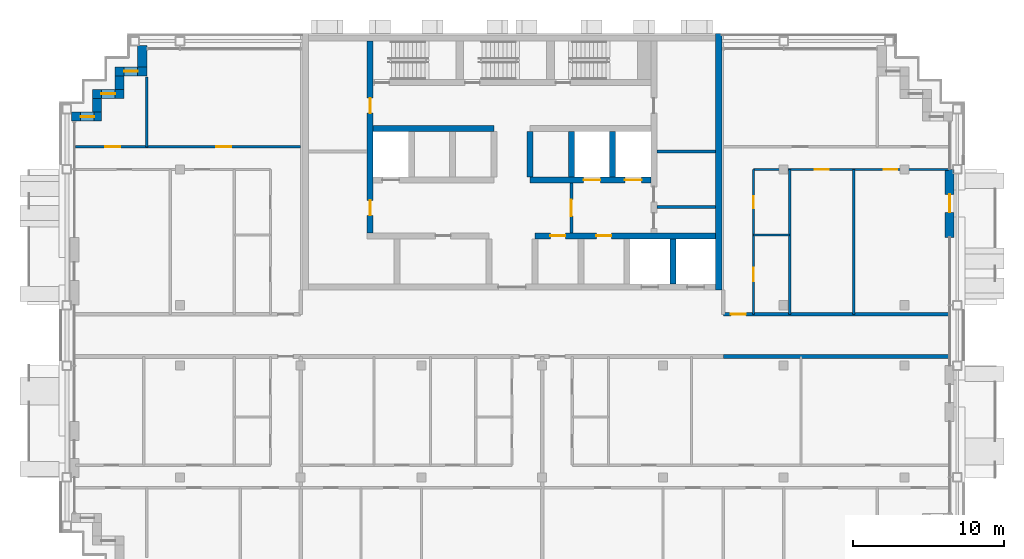
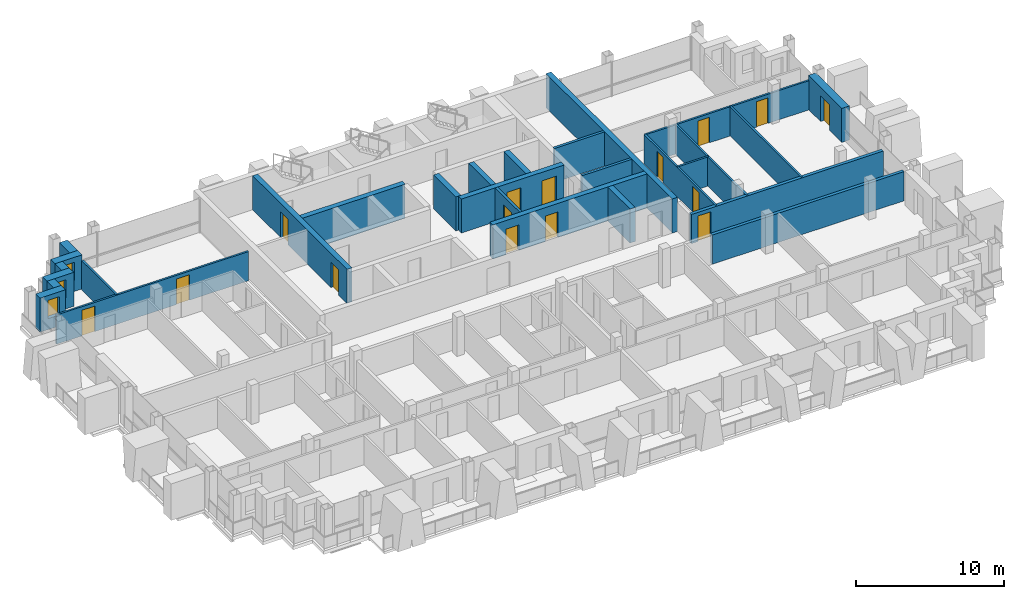
# One storey, part 10 of 15: 28 walls, 15 doors, 3 windows, 18 openings.
"""IFC4 building model written with IfcOpenShell, lengths in metres."""

from ifc_helpers import new_model, si_unit, direction, frame, frame_2d, origin, place, context, subcontext, project, spatial, rectangle, extrude, material, layer, layer_set, type_object, element, fill, save


model = new_model("IFC4")

# Units and contexts
model_context = context("Model", 3, precision=1e-05, world=origin(), true_north=direction((0.0, 1.0)))
body_context = subcontext(model_context, "Body", "Model", "MODEL_VIEW")
ifc_project = project(units=[si_unit("LENGTHUNIT", "METRE"), si_unit("AREAUNIT", "SQUARE_METRE"), si_unit("VOLUMEUNIT", "CUBIC_METRE"), si_unit("PLANEANGLEUNIT", "RADIAN"), si_unit("MASSUNIT", "GRAM", prefix="KILO")], contexts=[model_context])

# Site, building, storey
site_placement = place(None, origin())
site = spatial("IfcSite", under=ifc_project, at=site_placement, CompositionType="ELEMENT")
building_placement = place(site_placement, origin())
building = spatial("IfcBuilding", under=site, at=building_placement, Name="Vidyagriha Tower", CompositionType="ELEMENT")
storey_placement = place(building_placement, frame((0.0, 0.0, 236.39990234375)))
storey = spatial("IfcBuildingStorey", under=building, at=storey_placement, Name="L62", CompositionType="ELEMENT", Elevation=236.39990234375)

# Wall
ifc_material_1 = material(Name="Precast concrete C40/50 with brick facing", Category="concrete")
ifc_layer_1 = layer(ifc_material_1, 0.60009765625)
ifc_layer_set_1 = layer_set([ifc_layer_1], Name="Precast concrete C40/50 with brick facing")
wall_type_1 = type_object("IfcWallType", Name="Brick-faced precast wall 600", PredefinedType="STANDARD", material=ifc_layer_set_1)
wall_1_placement = place(storey_placement, frame((-24.5, 19.199951171875, 0.0), z_axis=(0.0, 0.0, 1.0), x_axis=(0.0, -1.0, 0.0)))
element("IfcWall", 1, at=wall_1_placement, inside=storey, type_object=wall_type_1, Name="Stepped corner wall L62 R10", PredefinedType="STANDARD", context=body_context, shape_type="SweptSolid", body=[
    extrude(rectangle(XDim=1.39990234375, YDim=0.60009765625, at=frame_2d((0.699951171875, 0.0))), origin(), (0.0, 0.0, 1.0), 2.800048828125),
])

# Wall, opening, window
wall_2_placement = place(storey_placement, frame((-24.199951171875, 17.5, 0.0), z_axis=(0.0, 0.0, 1.0), x_axis=(-1.0, 0.0, 0.0)))
wall_2 = element("IfcWall", 2, at=wall_2_placement, inside=storey, type_object=wall_type_1, Name="Stepped corner wall L62 R11", PredefinedType="STANDARD", context=body_context, shape_type="SweptSolid", body=[
    extrude(rectangle(XDim=2.10009765625, YDim=0.60009765625, at=frame_2d((1.050048828125, 0.0))), origin(), (0.0, 0.0, 1.0), 2.800048828125),
])
opening_1_placement = place(wall_2_placement, frame((0.60009765625, 0.0, 0.89990234375)))
opening_1 = element("IfcOpeningElement", 3, at=opening_1_placement, cuts=wall_2, Name="Opening WN1", PredefinedType="OPENING", context=body_context, shape_type="SweptSolid", body=[
    extrude(rectangle(XDim=0.89990234375, YDim=1.5, at=frame_2d((0.449951171875, 0.75))), frame((0.0, 0.31005859375, 0.0), z_axis=(0.0, -1.0, 0.0), x_axis=(1.0, 0.0, 0.0)), (0.0, 0.0, 1.0), 0.6201171875),
])
ifc_material_2 = material(Name="Aluminium and glass window", Category="aluminium")
window_type = type_object("IfcWindowType", Name="Reveal window 900x1500", PartitioningType="NOTDEFINED", PredefinedType="WINDOW", material=ifc_material_2)
window_1_placement = place(opening_1_placement, origin())
window_1 = element("IfcWindow", 4, at=window_1_placement, inside=storey, type_object=window_type, Name="Reveal window L62 R11", OverallHeight=1.5, OverallWidth=0.89990234375, PartitioningType="SINGLE_PANEL", PredefinedType="WINDOW", context=body_context, shape_type="SweptSolid", body=[
    extrude(rectangle(XDim=0.89990234375, YDim=1.5, at=frame_2d((0.449951171875, 0.75))), frame((0.0, 0.030029296875, 0.0), z_axis=(0.0, -1.0, 0.0), x_axis=(1.0, 0.0, 0.0)), (0.0, 0.0, 1.0), 0.06005859375),
])
fill(opening_1, window_1)

# Wall
wall_3_placement = place(storey_placement, frame((-26.0, 17.199951171875, 0.0), z_axis=(0.0, 0.0, 1.0), x_axis=(0.0, -1.0, 0.0)))
element("IfcWall", 5, at=wall_3_placement, inside=storey, type_object=wall_type_1, Name="Stepped corner wall L62 R12", PredefinedType="STANDARD", context=body_context, shape_type="SweptSolid", body=[
    extrude(rectangle(XDim=0.89990234375, YDim=0.60009765625, at=frame_2d((0.449951171875, 0.0))), origin(), (0.0, 0.0, 1.0), 2.800048828125),
])

# Wall, opening, window
wall_4_placement = place(storey_placement, frame((-25.699951171875, 16.0, 0.0), z_axis=(0.0, 0.0, 1.0), x_axis=(-1.0, 0.0, 0.0)))
wall_4 = element("IfcWall", 6, at=wall_4_placement, inside=storey, type_object=wall_type_1, Name="Stepped corner wall L62 R13", PredefinedType="STANDARD", context=body_context, shape_type="SweptSolid", body=[
    extrude(rectangle(XDim=2.10009765625, YDim=0.60009765625, at=frame_2d((1.050048828125, 0.0))), origin(), (0.0, 0.0, 1.0), 2.800048828125),
])
opening_2_placement = place(wall_4_placement, frame((0.60009765625, 0.0, 0.89990234375)))
opening_2 = element("IfcOpeningElement", 7, at=opening_2_placement, cuts=wall_4, Name="Opening WN1", PredefinedType="OPENING", context=body_context, shape_type="SweptSolid", body=[
    extrude(rectangle(XDim=0.89990234375, YDim=1.5, at=frame_2d((0.449951171875, 0.75))), frame((0.0, 0.31005859375, 0.0), z_axis=(0.0, -1.0, 0.0), x_axis=(1.0, 0.0, 0.0)), (0.0, 0.0, 1.0), 0.6201171875),
])
window_2_placement = place(opening_2_placement, origin())
window_2 = element("IfcWindow", 8, at=window_2_placement, inside=storey, type_object=window_type, Name="Reveal window L62 R13", OverallHeight=1.5, OverallWidth=0.89990234375, PartitioningType="SINGLE_PANEL", PredefinedType="WINDOW", context=body_context, shape_type="SweptSolid", body=[
    extrude(rectangle(XDim=0.89990234375, YDim=1.5, at=frame_2d((0.449951171875, 0.75))), frame((0.0, 0.030029296875, 0.0), z_axis=(0.0, -1.0, 0.0), x_axis=(1.0, 0.0, 0.0)), (0.0, 0.0, 1.0), 0.06005859375),
])
fill(opening_2, window_2)

# Wall
wall_5_placement = place(storey_placement, frame((-27.5, 15.699951171875, 0.0), z_axis=(0.0, 0.0, 1.0), x_axis=(0.0, -1.0, 0.0)))
element("IfcWall", 9, at=wall_5_placement, inside=storey, type_object=wall_type_1, Name="Stepped corner wall L62 R14", PredefinedType="STANDARD", context=body_context, shape_type="SweptSolid", body=[
    extrude(rectangle(XDim=0.89990234375, YDim=0.60009765625, at=frame_2d((0.449951171875, 0.0))), origin(), (0.0, 0.0, 1.0), 2.800048828125),
])

# Wall, opening, window
wall_6_placement = place(storey_placement, frame((-27.199951171875, 14.5, 0.0), z_axis=(0.0, 0.0, 1.0), x_axis=(-1.0, 0.0, 0.0)))
wall_6 = element("IfcWall", 10, at=wall_6_placement, inside=storey, type_object=wall_type_1, Name="Stepped corner wall L62 R15", PredefinedType="STANDARD", context=body_context, shape_type="SweptSolid", body=[
    extrude(rectangle(XDim=2.0, YDim=0.60009765625, at=frame_2d((1.0, 0.0))), origin(), (0.0, 0.0, 1.0), 2.800048828125),
])
opening_3_placement = place(wall_6_placement, frame((0.489990234375, 0.0, 0.89990234375)))
opening_3 = element("IfcOpeningElement", 11, at=opening_3_placement, cuts=wall_6, Name="Opening WN1", PredefinedType="OPENING", context=body_context, shape_type="SweptSolid", body=[
    extrude(rectangle(XDim=0.89990234375, YDim=1.5, at=frame_2d((0.449951171875, 0.75))), frame((0.0, 0.31005859375, 0.0), z_axis=(0.0, -1.0, 0.0), x_axis=(1.0, 0.0, 0.0)), (0.0, 0.0, 1.0), 0.6201171875),
])
window_3_placement = place(opening_3_placement, origin())
window_3 = element("IfcWindow", 12, at=window_3_placement, inside=storey, type_object=window_type, Name="Reveal window L62 R15", OverallHeight=1.5, OverallWidth=0.89990234375, PartitioningType="SINGLE_PANEL", PredefinedType="WINDOW", context=body_context, shape_type="SweptSolid", body=[
    extrude(rectangle(XDim=0.89990234375, YDim=1.5, at=frame_2d((0.449951171875, 0.75))), frame((0.0, 0.030029296875, 0.0), z_axis=(0.0, -1.0, 0.0), x_axis=(1.0, 0.0, 0.0)), (0.0, 0.0, 1.0), 0.06005859375),
])
fill(opening_3, window_3)

# Wall, opening, door
wall_7_placement = place(storey_placement, frame((29.0, 6.5, 0.0), z_axis=(0.0, 0.0, 1.0), x_axis=(0.0, 1.0, 0.0)))
wall_7 = element("IfcWall", 13, at=wall_7_placement, inside=storey, type_object=wall_type_1, Name="Brick door bay wall L62 R30.6", PredefinedType="STANDARD", context=body_context, shape_type="SweptSolid", body=[
    extrude(rectangle(XDim=4.5, YDim=0.60009765625, at=frame_2d((2.25, 0.0))), origin(), (0.0, 0.0, 1.0), 2.800048828125),
])
opening_4_placement = place(wall_7_placement, frame((1.64990234375, 0.0, 0.0)))
opening_4 = element("IfcOpeningElement", 14, at=opening_4_placement, cuts=wall_7, Name="Opening D62-65", PredefinedType="OPENING", context=body_context, shape_type="SweptSolid", body=[
    extrude(rectangle(XDim=1.199951171875, YDim=2.10009765625, at=frame_2d((0.60009765625, 1.050048828125))), frame((0.0, 0.31005859375, 0.0), z_axis=(0.0, -1.0, 0.0), x_axis=(1.0, 0.0, 0.0)), (0.0, 0.0, 1.0), 0.6201171875),
])
ifc_material_3 = material(Name="Aluminium framed glazed sliding door", Category="aluminium")
door_type_1 = type_object("IfcDoorType", Name="Balcony sliding door 1200x2100", OperationType="NOTDEFINED", PredefinedType="DOOR", material=ifc_material_3)
door_1_placement = place(opening_4_placement, origin())
door_1 = element("IfcDoor", 15, at=door_1_placement, inside=storey, type_object=door_type_1, Name="Door D62-65", OperationType="SLIDING_TO_LEFT", OverallHeight=2.10009765625, OverallWidth=1.199951171875, PredefinedType="DOOR", context=body_context, shape_type="SweptSolid", body=[
    extrude(rectangle(XDim=1.199951171875, YDim=2.10009765625, at=frame_2d((0.60009765625, 1.050048828125))), frame((0.0, 0.02490234375, 0.0), z_axis=(0.0, -1.0, 0.0), x_axis=(1.0, 0.0, 0.0)), (0.0, 0.0, 1.0), 0.050048828125),
])
fill(opening_4, door_1)

# Wall
ifc_material_4 = material(Name="Concrete C60/75", Category="concrete")
ifc_layer_2 = layer(ifc_material_4, 0.39990234375)
ifc_layer_set_2 = layer_set([ifc_layer_2], Name="Concrete C60/75")
wall_type_2 = type_object("IfcWallType", Name="Core shear wall 400 mm", PredefinedType="SHEAR", material=ifc_layer_set_2)
wall_8_placement = place(storey_placement, frame((13.699951171875, 3.0, 0.0), z_axis=(0.0, 0.0, 1.0), x_axis=(0.0, 1.0, 0.0)))
element("IfcWall", 16, at=wall_8_placement, inside=storey, type_object=wall_type_2, Name="Core east wall", PredefinedType="SHEAR", context=body_context, shape_type="SweptSolid", body=[
    extrude(rectangle(XDim=17.0, YDim=0.39990234375, at=frame_2d((8.5, 0.0))), origin(), (0.0, 0.0, 1.0), 2.800048828125),
])

# Wall, openings, doors
wall_9_placement = place(storey_placement, frame((-9.39990234375, 6.800048828125, 0.0), z_axis=(0.0, 0.0, 1.0), x_axis=(0.0, 1.0, 0.0)))
wall_9 = element("IfcWall", 17, at=wall_9_placement, inside=storey, type_object=wall_type_2, Name="Core west spine wall", PredefinedType="SHEAR", context=body_context, shape_type="SweptSolid", body=[
    extrude(rectangle(XDim=12.699951171875, YDim=0.39990234375, at=frame_2d((6.35009765625, 0.0))), origin(), (0.0, 0.0, 1.0), 2.800048828125),
])
opening_5_placement = place(wall_9_placement, frame((1.14990234375, 0.0, 0.0)))
opening_5 = element("IfcOpeningElement", 18, at=opening_5_placement, cuts=wall_9, Name="Opening D62-09", PredefinedType="OPENING", context=body_context, shape_type="SweptSolid", body=[
    extrude(rectangle(XDim=1.0, YDim=2.10009765625, at=frame_2d((0.5, 1.050048828125))), frame((0.0, 0.2099609375, 0.0), z_axis=(0.0, -1.0, 0.0), x_axis=(1.0, 0.0, 0.0)), (0.0, 0.0, 1.0), 0.419921875),
])
opening_6_placement = place(wall_9_placement, frame((7.925048828125, 0.0, 0.0)))
opening_6 = element("IfcOpeningElement", 19, at=opening_6_placement, cuts=wall_9, Name="Opening D62-10", PredefinedType="OPENING", context=body_context, shape_type="SweptSolid", body=[
    extrude(rectangle(XDim=1.0, YDim=2.10009765625, at=frame_2d((0.5, 1.050048828125))), frame((0.0, 0.2099609375, 0.0), z_axis=(0.0, -1.0, 0.0), x_axis=(1.0, 0.0, 0.0)), (0.0, 0.0, 1.0), 0.419921875),
])
ifc_material_5 = material(Name="Hollow metal door leaf")
door_type_2 = type_object("IfcDoorType", Name="Core room door 1000 x 2100 mm EI 60", OperationType="NOTDEFINED", PredefinedType="DOOR", material=ifc_material_5)
door_2_placement = place(opening_5_placement, frame((1.0, 0.0, 0.0), z_axis=(0.0, 0.0, 1.0), x_axis=(-1.0, 0.0, 0.0)))
door_2 = element("IfcDoor", 20, at=door_2_placement, inside=storey, type_object=door_type_2, Name="Door Communications Room 62.W1", OperationType="SINGLE_SWING_RIGHT", OverallHeight=2.10009765625, OverallWidth=1.0, PredefinedType="DOOR", context=body_context, shape_type="SweptSolid", body=[
    extrude(rectangle(XDim=1.0, YDim=2.10009765625, at=frame_2d((0.5, 1.050048828125))), frame((0.0, 0.02490234375, 0.0), z_axis=(0.0, -1.0, 0.0), x_axis=(1.0, 0.0, 0.0)), (0.0, 0.0, 1.0), 0.050048828125),
])
fill(opening_5, door_2)
door_3_placement = place(opening_6_placement, frame((1.0, 0.0, 0.0), z_axis=(0.0, 0.0, 1.0), x_axis=(-1.0, 0.0, 0.0)))
door_3 = element("IfcDoor", 21, at=door_3_placement, inside=storey, type_object=door_type_2, Name="Door Riser Room 62.W2", OperationType="SINGLE_SWING_LEFT", OverallHeight=2.10009765625, OverallWidth=1.0, PredefinedType="DOOR", context=body_context, shape_type="SweptSolid", body=[
    extrude(rectangle(XDim=1.0, YDim=2.10009765625, at=frame_2d((0.5, 1.050048828125))), frame((0.0, 0.02490234375, 0.0), z_axis=(0.0, -1.0, 0.0), x_axis=(1.0, 0.0, 0.0)), (0.0, 0.0, 1.0), 0.050048828125),
])
fill(opening_6, door_3)

wall_10_placement = place(storey_placement, frame((1.522216796875, 6.60009765625, 0.0)))
wall_10 = element("IfcWall", 22, at=wall_10_placement, inside=storey, type_object=wall_type_2, Name="Core lobby south wall east", PredefinedType="SHEAR", context=body_context, shape_type="SweptSolid", body=[
    extrude(rectangle(XDim=11.977783203125, YDim=0.39990234375, at=frame_2d((5.98876953125, 0.0))), origin(), (0.0, 0.0, 1.0), 2.800048828125),
])
opening_7_placement = place(wall_10_placement, frame((1.022216796875, 0.0, 0.0)))
opening_7 = element("IfcOpeningElement", 23, at=opening_7_placement, cuts=wall_10, Name="Opening D62-03", PredefinedType="OPENING", context=body_context, shape_type="SweptSolid", body=[
    extrude(rectangle(XDim=1.0, YDim=2.10009765625, at=frame_2d((0.5, 1.050048828125))), frame((0.0, 0.2099609375, 0.0), z_axis=(0.0, -1.0, 0.0), x_axis=(1.0, 0.0, 0.0)), (0.0, 0.0, 1.0), 0.419921875),
])
opening_8_placement = place(wall_10_placement, frame((4.066650390625, 0.0, 0.0)))
opening_8 = element("IfcOpeningElement", 24, at=opening_8_placement, cuts=wall_10, Name="Opening D62-04", PredefinedType="OPENING", context=body_context, shape_type="SweptSolid", body=[
    extrude(rectangle(XDim=1.0, YDim=2.10009765625, at=frame_2d((0.5, 1.050048828125))), frame((0.0, 0.2099609375, 0.0), z_axis=(0.0, -1.0, 0.0), x_axis=(1.0, 0.0, 0.0)), (0.0, 0.0, 1.0), 0.419921875),
])
door_4_placement = place(opening_7_placement, origin())
door_4 = element("IfcDoor", 25, at=door_4_placement, inside=storey, type_object=door_type_2, Name="Door Cleaners Store 62.02", OperationType="SINGLE_SWING_RIGHT", OverallHeight=2.10009765625, OverallWidth=1.0, PredefinedType="DOOR", context=body_context, shape_type="SweptSolid", body=[
    extrude(rectangle(XDim=1.0, YDim=2.10009765625, at=frame_2d((0.5, 1.050048828125))), frame((0.0, 0.02490234375, 0.0), z_axis=(0.0, -1.0, 0.0), x_axis=(1.0, 0.0, 0.0)), (0.0, 0.0, 1.0), 0.050048828125),
])
fill(opening_7, door_4)
door_5_placement = place(opening_8_placement, origin())
door_5 = element("IfcDoor", 26, at=door_5_placement, inside=storey, type_object=door_type_2, Name="Door Refuse Room 62.03", OperationType="SINGLE_SWING_RIGHT", OverallHeight=2.10009765625, OverallWidth=1.0, PredefinedType="DOOR", context=body_context, shape_type="SweptSolid", body=[
    extrude(rectangle(XDim=1.0, YDim=2.10009765625, at=frame_2d((0.5, 1.050048828125))), frame((0.0, 0.02490234375, 0.0), z_axis=(0.0, -1.0, 0.0), x_axis=(1.0, 0.0, 0.0)), (0.0, 0.0, 1.0), 0.050048828125),
])
fill(opening_8, door_5)

# Walls
wall_11_placement = place(storey_placement, frame((10.655517578125, 3.39990234375, 0.0), z_axis=(0.0, 0.0, 1.0), x_axis=(0.0, 1.0, 0.0)))
element("IfcWall", 27, at=wall_11_placement, inside=storey, type_object=wall_type_2, Name="Core bay wall S8", PredefinedType="SHEAR", context=body_context, shape_type="SweptSolid", body=[
    extrude(rectangle(XDim=3.0, YDim=0.39990234375, at=frame_2d((1.5, 0.0))), origin(), (0.0, 0.0, 1.0), 2.800048828125),
])
wall_12_placement = place(storey_placement, frame((-9.199951171875, 13.699951171875, 0.0)))
element("IfcWall", 28, at=wall_12_placement, inside=storey, type_object=wall_type_2, Name="Core row N rear wall", PredefinedType="SHEAR", context=body_context, shape_type="SweptSolid", body=[
    extrude(rectangle(XDim=8.0, YDim=0.39990234375, at=frame_2d((4.0, 0.0))), origin(), (0.0, 0.0, 1.0), 2.800048828125),
])

# Wall, openings, doors
wall_13_placement = place(storey_placement, frame((1.199951171875, 10.300048828125, 0.0)))
wall_13 = element("IfcWall", 29, at=wall_13_placement, inside=storey, type_object=wall_type_2, Name="Core row N front wall", PredefinedType="SHEAR", context=body_context, shape_type="SweptSolid", body=[
    extrude(rectangle(XDim=8.0, YDim=0.39990234375, at=frame_2d((4.0, 0.0))), origin(), (0.0, 0.0, 1.0), 2.800048828125),
])
opening_9_placement = place(wall_13_placement, frame((3.550048828125, 0.0, 0.0)))
opening_9 = element("IfcOpeningElement", 30, at=opening_9_placement, cuts=wall_13, Name="Opening LD62-04", PredefinedType="OPENING", context=body_context, shape_type="SweptSolid", body=[
    extrude(rectangle(XDim=1.10009765625, YDim=2.10009765625, at=frame_2d((0.550048828125, 1.050048828125))), frame((0.0, 0.2099609375, 0.0), z_axis=(0.0, -1.0, 0.0), x_axis=(1.0, 0.0, 0.0)), (0.0, 0.0, 1.0), 0.419921875),
])
opening_10_placement = place(wall_13_placement, frame((6.283203125, 0.0, 0.0)))
opening_10 = element("IfcOpeningElement", 31, at=opening_10_placement, cuts=wall_13, Name="Opening LD62-05", PredefinedType="OPENING", context=body_context, shape_type="SweptSolid", body=[
    extrude(rectangle(XDim=1.10009765625, YDim=2.10009765625, at=frame_2d((0.550048828125, 1.050048828125))), frame((0.0, 0.2099609375, 0.0), z_axis=(0.0, -1.0, 0.0), x_axis=(1.0, 0.0, 0.0)), (0.0, 0.0, 1.0), 0.419921875),
])
ifc_material_6 = material(Name="Stainless steel sliding door panel", Category="steel")
door_type_3 = type_object("IfcDoorType", Name="Lift landing door 1100 x 2100 mm EI 90", OperationType="NOTDEFINED", PredefinedType="DOOR", material=ifc_material_6)
door_6_placement = place(opening_9_placement, origin())
door_6 = element("IfcDoor", 32, at=door_6_placement, inside=storey, type_object=door_type_3, Name="Landing door FF1 L62", OperationType="SLIDING_TO_LEFT", OverallHeight=2.10009765625, OverallWidth=1.10009765625, PredefinedType="DOOR", context=body_context, shape_type="SweptSolid", body=[
    extrude(rectangle(XDim=1.10009765625, YDim=2.10009765625, at=frame_2d((0.550048828125, 1.050048828125))), frame((0.0, 0.02490234375, 0.0), z_axis=(0.0, -1.0, 0.0), x_axis=(1.0, 0.0, 0.0)), (0.0, 0.0, 1.0), 0.050048828125),
])
fill(opening_9, door_6)
door_7_placement = place(opening_10_placement, origin())
door_7 = element("IfcDoor", 33, at=door_7_placement, inside=storey, type_object=door_type_3, Name="Landing door FF2 L62", OperationType="SLIDING_TO_LEFT", OverallHeight=2.10009765625, OverallWidth=1.10009765625, PredefinedType="DOOR", context=body_context, shape_type="SweptSolid", body=[
    extrude(rectangle(XDim=1.10009765625, YDim=2.10009765625, at=frame_2d((0.550048828125, 1.050048828125))), frame((0.0, 0.02490234375, 0.0), z_axis=(0.0, -1.0, 0.0), x_axis=(1.0, 0.0, 0.0)), (0.0, 0.0, 1.0), 0.050048828125),
])
fill(opening_10, door_7)

# Walls
for number, where, z_axis, x_axis, name in (
    (34, (1.199951171875, 10.5, 0.0), (0.0, 0.0, 1.0), (0.0, 1.0, 0.0), "Core bay wall N4"),
    (35, (3.933349609375, 10.5, 0.0), (0.0, 0.0, 1.0), (0.0, 1.0, 0.0), "Core bay wall N5"),
    (36, (6.666748046875, 10.5, 0.0), (0.0, 0.0, 1.0), (0.0, 1.0, 0.0), "Core bay wall N6"),
):
    element("IfcWall", number, at=place(storey_placement, frame(where, z_axis=z_axis, x_axis=x_axis)), inside=storey, type_object=wall_type_2, Name=name, PredefinedType="SHEAR", context=body_context, shape_type="SweptSolid", body=[
        extrude(rectangle(XDim=3.0, YDim=0.39990234375, at=frame_2d((1.5, 0.0))), origin(), (0.0, 0.0, 1.0), 2.800048828125),
    ])
ifc_material_7 = material(Name="Fired clay brick masonry", Category="masonry")
ifc_layer_3 = layer(ifc_material_7, 0.25)
ifc_layer_set_3 = layer_set([ifc_layer_3], Name="Fired clay brick masonry")
wall_type_3 = type_object("IfcWallType", Name="Fired clay brick corridor wall 250", PredefinedType="PARTITIONING", material=ifc_layer_set_3)
wall_14_placement = place(storey_placement, frame((28.919921875, -1.39990234375, 0.0), z_axis=(0.0, 0.0, 1.0), x_axis=(-1.0, 0.0, 0.0)))
element("IfcWall", 37, at=wall_14_placement, inside=storey, type_object=wall_type_3, Name="Wall all-L62-w060", PredefinedType="PARTITIONING", context=body_context, shape_type="SweptSolid", body=[
    extrude(rectangle(XDim=14.919921875, YDim=0.25, at=frame_2d((7.4599609375, 0.0))), origin(), (0.0, 0.0, 1.0), 2.400146484375),
])

# Wall, opening, door
wall_15_placement = place(storey_placement, frame((14.0, 1.39990234375, 0.0)))
wall_15 = element("IfcWall", 38, at=wall_15_placement, inside=storey, type_object=wall_type_3, Name="Wall all-L62-w090", PredefinedType="PARTITIONING", context=body_context, shape_type="SweptSolid", body=[
    extrude(rectangle(XDim=14.919921875, YDim=0.25, at=frame_2d((7.4599609375, 0.0))), origin(), (0.0, 0.0, 1.0), 2.400146484375),
])
opening_11_placement = place(wall_15_placement, frame((0.5, 0.0, 0.0)))
opening_11 = element("IfcOpeningElement", 39, at=opening_11_placement, cuts=wall_15, Name="Opening D62-55", PredefinedType="OPENING", context=body_context, shape_type="SweptSolid", body=[
    extrude(rectangle(XDim=1.0, YDim=2.10009765625, at=frame_2d((0.5, 1.050048828125))), frame((0.0, 0.135009765625, 0.0), z_axis=(0.0, -1.0, 0.0), x_axis=(1.0, 0.0, 0.0)), (0.0, 0.0, 1.0), 0.27001953125),
])
ifc_material_8 = material(Name="Fire-rated timber door leaf EI 60", Category="wood")
door_type_4 = type_object("IfcDoorType", Name="Flat entrance fire door 1000x2100", OperationType="NOTDEFINED", PredefinedType="DOOR", material=ifc_material_8)
door_8_placement = place(opening_11_placement, origin())
door_8 = element("IfcDoor", 40, at=door_8_placement, inside=storey, type_object=door_type_4, Name="Door D62-55", OperationType="SINGLE_SWING_LEFT", OverallHeight=2.10009765625, OverallWidth=1.0, PredefinedType="DOOR", context=body_context, shape_type="SweptSolid", body=[
    extrude(rectangle(XDim=1.0, YDim=2.10009765625, at=frame_2d((0.5, 1.050048828125))), frame((0.0, 0.02490234375, 0.0), z_axis=(0.0, -1.0, 0.0), x_axis=(1.0, 0.0, 0.0)), (0.0, 0.0, 1.0), 0.050048828125),
])
fill(opening_11, door_8)

# Wall, openings, doors
ifc_material_9 = material(Name="Gypsum board partition")
ifc_layer_4 = layer(ifc_material_9, 0.14990234375)
ifc_layer_set_4 = layer_set([ifc_layer_4], Name="Gypsum board partition")
wall_type_4 = type_object("IfcWallType", Name="Gypsum board partition 150", PredefinedType="PARTITIONING", material=ifc_layer_set_4)
wall_16_placement = place(storey_placement, frame((-28.919921875, 12.5, 0.0)))
wall_16 = element("IfcWall", 41, at=wall_16_placement, inside=storey, type_object=wall_type_4, Name="Wall all-L62-w070", PredefinedType="PARTITIONING", context=body_context, shape_type="SweptSolid", body=[
    extrude(rectangle(XDim=14.919921875, YDim=0.14990234375, at=frame_2d((7.4599609375, 0.0))), origin(), (0.0, 0.0, 1.0), 2.400146484375),
])
opening_12_placement = place(wall_16_placement, frame((1.969970703125, 0.0, 0.0)))
opening_12 = element("IfcOpeningElement", 42, at=opening_12_placement, cuts=wall_16, Name="Opening D62-46", PredefinedType="OPENING", context=body_context, shape_type="SweptSolid", body=[
    extrude(rectangle(XDim=1.0, YDim=2.10009765625, at=frame_2d((0.5, 1.050048828125))), frame((0.0, 0.0849609375, 0.0), z_axis=(0.0, -1.0, 0.0), x_axis=(1.0, 0.0, 0.0)), (0.0, 0.0, 1.0), 0.169921875),
])
opening_13_placement = place(wall_16_placement, frame((9.320068359375, 0.0, 0.0)))
opening_13 = element("IfcOpeningElement", 43, at=opening_13_placement, cuts=wall_16, Name="Opening D62-47", PredefinedType="OPENING", context=body_context, shape_type="SweptSolid", body=[
    extrude(rectangle(XDim=1.0, YDim=2.10009765625, at=frame_2d((0.5, 1.050048828125))), frame((0.0, 0.0849609375, 0.0), z_axis=(0.0, -1.0, 0.0), x_axis=(1.0, 0.0, 0.0)), (0.0, 0.0, 1.0), 0.169921875),
])
ifc_material_10 = material(Name="Timber door leaf", Category="wood")
door_type_5 = type_object("IfcDoorType", Name="Room door 1000x2100", OperationType="NOTDEFINED", PredefinedType="DOOR", material=ifc_material_10)
door_9_placement = place(opening_12_placement, origin())
door_9 = element("IfcDoor", 44, at=door_9_placement, inside=storey, type_object=door_type_5, Name="Door D62-46", OperationType="SINGLE_SWING_RIGHT", OverallHeight=2.10009765625, OverallWidth=1.0, PredefinedType="DOOR", context=body_context, shape_type="SweptSolid", body=[
    extrude(rectangle(XDim=1.0, YDim=2.10009765625, at=frame_2d((0.5, 1.050048828125))), frame((0.0, 0.02490234375, 0.0), z_axis=(0.0, -1.0, 0.0), x_axis=(1.0, 0.0, 0.0)), (0.0, 0.0, 1.0), 0.050048828125),
])
fill(opening_12, door_9)
door_10_placement = place(opening_13_placement, origin())
door_10 = element("IfcDoor", 45, at=door_10_placement, inside=storey, type_object=door_type_5, Name="Door D62-47", OperationType="SINGLE_SWING_LEFT", OverallHeight=2.10009765625, OverallWidth=1.0, PredefinedType="DOOR", context=body_context, shape_type="SweptSolid", body=[
    extrude(rectangle(XDim=1.0, YDim=2.10009765625, at=frame_2d((0.5, 1.050048828125))), frame((0.0, 0.02490234375, 0.0), z_axis=(0.0, -1.0, 0.0), x_axis=(1.0, 0.0, 0.0)), (0.0, 0.0, 1.0), 0.050048828125),
])
fill(opening_13, door_10)

# Walls
wall_17_placement = place(storey_placement, frame((-24.199951171875, 17.1201171875, 0.0), z_axis=(0.0, 0.0, 1.0), x_axis=(0.0, -1.0, 0.0)))
element("IfcWall", 46, at=wall_17_placement, inside=storey, type_object=wall_type_4, Name="Wall all-L62-w073", PredefinedType="PARTITIONING", context=body_context, shape_type="SweptSolid", body=[
    extrude(rectangle(XDim=4.6201171875, YDim=0.14990234375, at=frame_2d((2.31005859375, 0.0))), origin(), (0.0, 0.0, 1.0), 2.400146484375),
])
wall_18_placement = place(storey_placement, frame((16.0, 6.64990234375, 0.0)))
element("IfcWall", 47, at=wall_18_placement, inside=storey, type_object=wall_type_4, Name="Wall all-L62-w079", PredefinedType="PARTITIONING", context=body_context, shape_type="SweptSolid", body=[
    extrude(rectangle(XDim=2.39990234375, YDim=0.14990234375, at=frame_2d((1.199951171875, 0.0))), origin(), (0.0, 0.0, 1.0), 2.400146484375),
])
for number, where, z_axis, x_axis, name in (
    (48, (18.39990234375, 11.0, 0.0), (0.0, 0.0, 1.0), (0.0, -1.0, 0.0), "Wall all-L62-w080"),
    (49, (22.64990234375, 11.0, 0.0), (0.0, 0.0, 1.0), (0.0, -1.0, 0.0), "Wall all-L62-w081"),
):
    element("IfcWall", number, at=place(storey_placement, frame(where, z_axis=z_axis, x_axis=x_axis)), inside=storey, type_object=wall_type_4, Name=name, PredefinedType="PARTITIONING", context=body_context, shape_type="SweptSolid", body=[
        extrude(rectangle(XDim=9.60009765625, YDim=0.14990234375, at=frame_2d((4.800048828125, 0.0))), origin(), (0.0, 0.0, 1.0), 2.400146484375),
    ])

# Wall, openings, doors
wall_19_placement = place(storey_placement, frame((28.909912109375, 11.0, 0.0), z_axis=(0.0, 0.0, 1.0), x_axis=(-1.0, 0.0, 0.0)))
wall_19 = element("IfcWall", 50, at=wall_19_placement, inside=storey, type_object=wall_type_4, Name="Wall all-L62-w082", PredefinedType="PARTITIONING", context=body_context, shape_type="SweptSolid", body=[
    extrude(rectangle(XDim=12.909912109375, YDim=0.14990234375, at=frame_2d((6.455078125, 0.0))), origin(), (0.0, 0.0, 1.0), 2.400146484375),
])
opening_14_placement = place(wall_19_placement, frame((7.93505859375, 0.0, 0.0)))
opening_14 = element("IfcOpeningElement", 51, at=opening_14_placement, cuts=wall_19, Name="Opening D62-51", PredefinedType="OPENING", context=body_context, shape_type="SweptSolid", body=[
    extrude(rectangle(XDim=0.89990234375, YDim=2.10009765625, at=frame_2d((0.449951171875, 1.050048828125))), frame((0.0, 0.0849609375, 0.0), z_axis=(0.0, -1.0, 0.0), x_axis=(1.0, 0.0, 0.0)), (0.0, 0.0, 1.0), 0.169921875),
])
opening_15_placement = place(wall_19_placement, frame((3.385986328125, 0.0, 0.0)))
opening_15 = element("IfcOpeningElement", 52, at=opening_15_placement, cuts=wall_19, Name="Opening D62-52", PredefinedType="OPENING", context=body_context, shape_type="SweptSolid", body=[
    extrude(rectangle(XDim=0.89990234375, YDim=2.10009765625, at=frame_2d((0.449951171875, 1.050048828125))), frame((0.0, 0.0849609375, 0.0), z_axis=(0.0, -1.0, 0.0), x_axis=(1.0, 0.0, 0.0)), (0.0, 0.0, 1.0), 0.169921875),
])
ifc_material_11 = material(Name="Timber door leaf", Category="wood")
door_type_6 = type_object("IfcDoorType", Name="Room door 900x2100", OperationType="NOTDEFINED", PredefinedType="DOOR", material=ifc_material_11)
door_11_placement = place(opening_14_placement, origin())
door_11 = element("IfcDoor", 53, at=door_11_placement, inside=storey, type_object=door_type_6, Name="Door D62-51", OperationType="SINGLE_SWING_RIGHT", OverallHeight=2.10009765625, OverallWidth=0.89990234375, PredefinedType="DOOR", context=body_context, shape_type="SweptSolid", body=[
    extrude(rectangle(XDim=0.89990234375, YDim=2.10009765625, at=frame_2d((0.449951171875, 1.050048828125))), frame((0.0, 0.02490234375, 0.0), z_axis=(0.0, -1.0, 0.0), x_axis=(1.0, 0.0, 0.0)), (0.0, 0.0, 1.0), 0.050048828125),
])
fill(opening_14, door_11)
door_12_placement = place(opening_15_placement, origin())
door_12 = element("IfcDoor", 54, at=door_12_placement, inside=storey, type_object=door_type_6, Name="Door D62-52", OperationType="SINGLE_SWING_RIGHT", OverallHeight=2.10009765625, OverallWidth=0.89990234375, PredefinedType="DOOR", context=body_context, shape_type="SweptSolid", body=[
    extrude(rectangle(XDim=0.89990234375, YDim=2.10009765625, at=frame_2d((0.449951171875, 1.050048828125))), frame((0.0, 0.02490234375, 0.0), z_axis=(0.0, -1.0, 0.0), x_axis=(1.0, 0.0, 0.0)), (0.0, 0.0, 1.0), 0.050048828125),
])
fill(opening_15, door_12)

ifc_material_12 = material(Name="Moisture resistant gypsum board partition")
ifc_layer_5 = layer(ifc_material_12, 0.14990234375)
ifc_layer_set_5 = layer_set([ifc_layer_5], Name="Moisture resistant gypsum board partition")
wall_type_5 = type_object("IfcWallType", Name="Gypsum board wet-area partition 150", PredefinedType="PARTITIONING", material=ifc_layer_set_5)
wall_20_placement = place(storey_placement, frame((16.0, 11.0, 0.0), z_axis=(0.0, 0.0, 1.0), x_axis=(0.0, -1.0, 0.0)))
wall_20 = element("IfcWall", 55, at=wall_20_placement, inside=storey, type_object=wall_type_5, Name="Wall all-L62-w076", PredefinedType="PARTITIONING", context=body_context, shape_type="SweptSolid", body=[
    extrude(rectangle(XDim=9.60009765625, YDim=0.14990234375, at=frame_2d((4.800048828125, 0.0))), origin(), (0.0, 0.0, 1.0), 2.400146484375),
])
opening_16_placement = place(wall_20_placement, frame((6.52490234375, 0.0, 0.0)))
opening_16 = element("IfcOpeningElement", 56, at=opening_16_placement, cuts=wall_20, Name="Opening D62-49", PredefinedType="OPENING", context=body_context, shape_type="SweptSolid", body=[
    extrude(rectangle(XDim=0.89990234375, YDim=2.10009765625, at=frame_2d((0.449951171875, 1.050048828125))), frame((0.0, 0.0849609375, 0.0), z_axis=(0.0, -1.0, 0.0), x_axis=(1.0, 0.0, 0.0)), (0.0, 0.0, 1.0), 0.169921875),
])
opening_17_placement = place(wall_20_placement, frame((1.77490234375, 0.0, 0.0)))
opening_17 = element("IfcOpeningElement", 57, at=opening_17_placement, cuts=wall_20, Name="Opening D62-50", PredefinedType="OPENING", context=body_context, shape_type="SweptSolid", body=[
    extrude(rectangle(XDim=0.800048828125, YDim=2.10009765625, at=frame_2d((0.39990234375, 1.050048828125))), frame((0.0, 0.0849609375, 0.0), z_axis=(0.0, -1.0, 0.0), x_axis=(1.0, 0.0, 0.0)), (0.0, 0.0, 1.0), 0.169921875),
])
ifc_material_13 = material(Name="Timber door leaf", Category="wood")
door_type_7 = type_object("IfcDoorType", Name="Bathroom door 800x2100", OperationType="NOTDEFINED", PredefinedType="DOOR", material=ifc_material_13)
door_13_placement = place(opening_17_placement, origin())
door_13 = element("IfcDoor", 58, at=door_13_placement, inside=storey, type_object=door_type_7, Name="Door D62-50", OperationType="SINGLE_SWING_RIGHT", OverallHeight=2.10009765625, OverallWidth=0.800048828125, PredefinedType="DOOR", context=body_context, shape_type="SweptSolid", body=[
    extrude(rectangle(XDim=0.800048828125, YDim=2.10009765625, at=frame_2d((0.39990234375, 1.050048828125))), frame((0.0, 0.02490234375, 0.0), z_axis=(0.0, -1.0, 0.0), x_axis=(1.0, 0.0, 0.0)), (0.0, 0.0, 1.0), 0.050048828125),
])
fill(opening_17, door_13)
ifc_material_14 = material(Name="Timber door leaf", Category="wood")
door_type_8 = type_object("IfcDoorType", Name="Kitchen door 900x2100", OperationType="NOTDEFINED", PredefinedType="DOOR", material=ifc_material_14)
door_14_placement = place(opening_16_placement, origin())
door_14 = element("IfcDoor", 59, at=door_14_placement, inside=storey, type_object=door_type_8, Name="Door D62-49", OperationType="SINGLE_SWING_LEFT", OverallHeight=2.10009765625, OverallWidth=0.89990234375, PredefinedType="DOOR", context=body_context, shape_type="SweptSolid", body=[
    extrude(rectangle(XDim=0.89990234375, YDim=2.10009765625, at=frame_2d((0.449951171875, 1.050048828125))), frame((0.0, 0.02490234375, 0.0), z_axis=(0.0, -1.0, 0.0), x_axis=(1.0, 0.0, 0.0)), (0.0, 0.0, 1.0), 0.050048828125),
])
fill(opening_16, door_14)

# Wall, opening, door
ifc_material_15 = material(Name="Blockwork 15 MPa", Category="masonry")
ifc_layer_6 = layer(ifc_material_15, 0.199951171875)
ifc_layer_set_6 = layer_set([ifc_layer_6], Name="Blockwork 15 MPa")
wall_type_6 = type_object("IfcWallType", Name="Service room partition 200 mm", PredefinedType="PARTITIONING", material=ifc_layer_set_6)
wall_21_placement = place(storey_placement, frame((3.933349609375, 6.800048828125, 0.0), z_axis=(0.0, 0.0, 1.0), x_axis=(0.0, 1.0, 0.0)))
wall_21 = element("IfcWall", 60, at=wall_21_placement, inside=storey, type_object=wall_type_6, Name="Fire-fighting lobby west wall", PredefinedType="PARTITIONING", context=body_context, shape_type="SweptSolid", body=[
    extrude(rectangle(XDim=3.300048828125, YDim=0.199951171875, at=frame_2d((1.64990234375, 0.0))), origin(), (0.0, 0.0, 1.0), 2.800048828125),
])
opening_18_placement = place(wall_21_placement, frame((1.10009765625, 0.0, 0.0)))
opening_18 = element("IfcOpeningElement", 61, at=opening_18_placement, cuts=wall_21, Name="Opening D62-05", PredefinedType="OPENING", context=body_context, shape_type="SweptSolid", body=[
    extrude(rectangle(XDim=1.10009765625, YDim=2.10009765625, at=frame_2d((0.550048828125, 1.050048828125))), frame((0.0, 0.10986328125, 0.0), z_axis=(0.0, -1.0, 0.0), x_axis=(1.0, 0.0, 0.0)), (0.0, 0.0, 1.0), 0.219970703125),
])
ifc_material_16 = material(Name="Hollow metal door leaf")
door_type_9 = type_object("IfcDoorType", Name="Fire-fighting lobby door 1100 x 2100 mm EI 90", OperationType="NOTDEFINED", PredefinedType="DOOR", material=ifc_material_16)
door_15_placement = place(opening_18_placement, origin())
door_15 = element("IfcDoor", 62, at=door_15_placement, inside=storey, type_object=door_type_9, Name="Fire-fighting lobby door L62", OperationType="SINGLE_SWING_RIGHT", OverallHeight=2.10009765625, OverallWidth=1.10009765625, PredefinedType="DOOR", context=body_context, shape_type="SweptSolid", body=[
    extrude(rectangle(XDim=1.10009765625, YDim=2.10009765625, at=frame_2d((0.550048828125, 1.050048828125))), frame((0.0, 0.02490234375, 0.0), z_axis=(0.0, -1.0, 0.0), x_axis=(1.0, 0.0, 0.0)), (0.0, 0.0, 1.0), 0.050048828125),
])
fill(opening_18, door_15)

# Walls
for number, where, name in (
    (63, (9.60009765625, 8.5, 0.0), "Core room partition E1"),
    (64, (9.60009765625, 12.199951171875, 0.0), "Core room partition E2"),
):
    element("IfcWall", number, at=place(storey_placement, frame(where)), inside=storey, type_object=wall_type_6, Name=name, PredefinedType="PARTITIONING", context=body_context, shape_type="SweptSolid", body=[
        extrude(rectangle(XDim=3.89990234375, YDim=0.199951171875, at=frame_2d((1.949951171875, 0.0))), origin(), (0.0, 0.0, 1.0), 2.800048828125),
    ])

save(model, "model.ifc")
